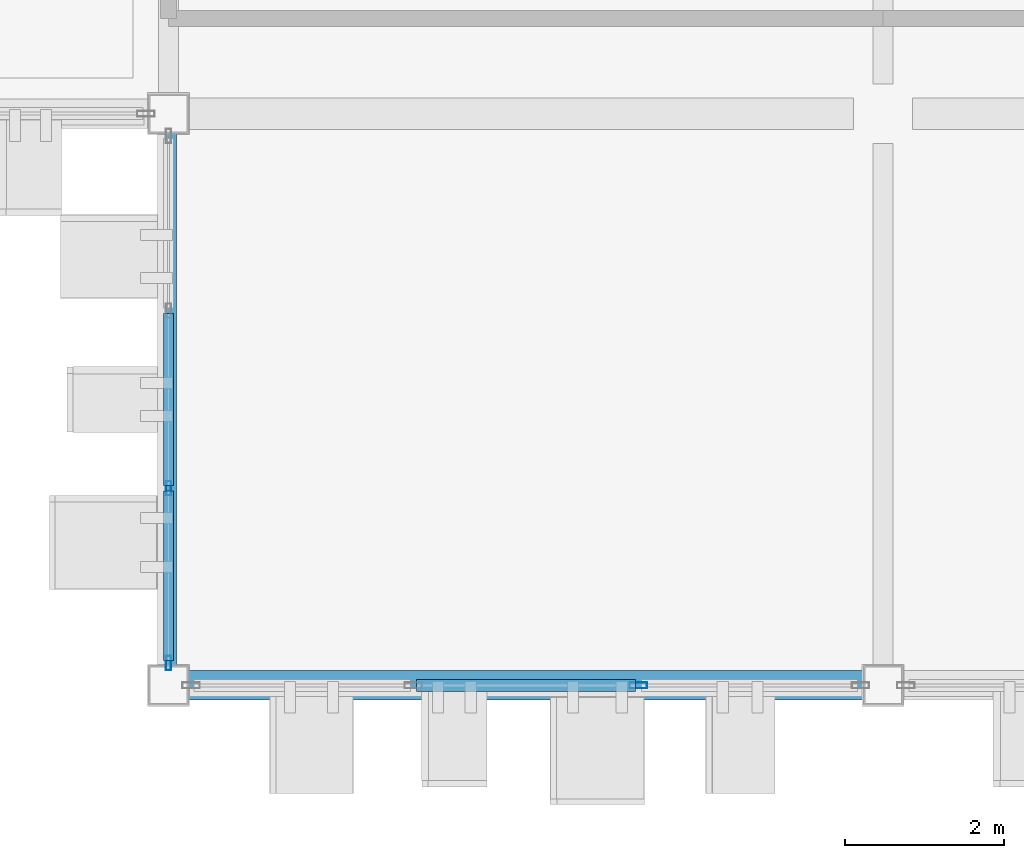
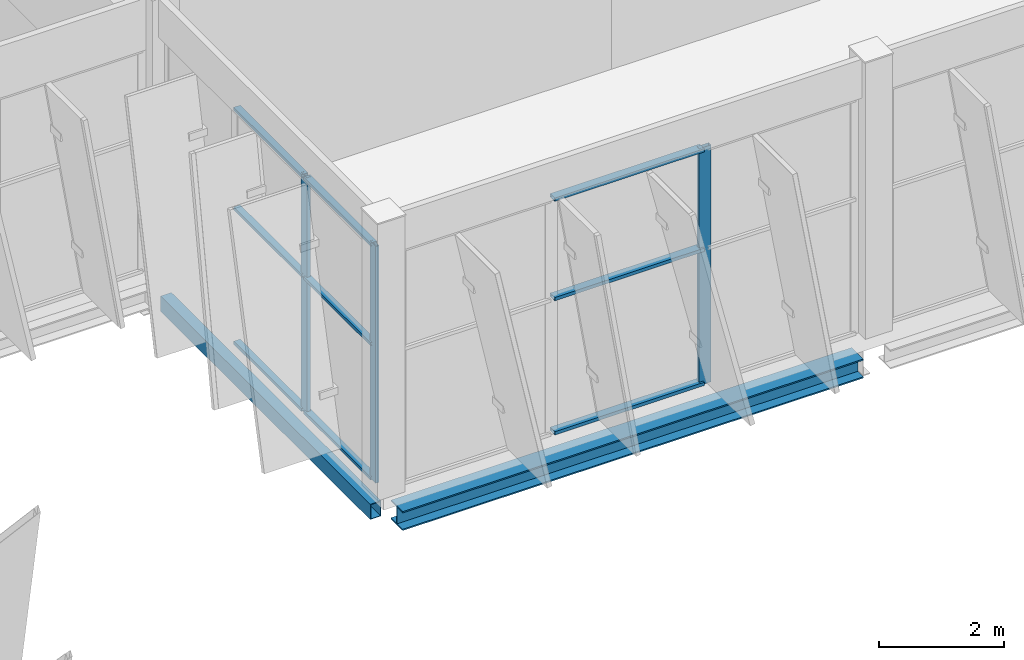
# One storey, part 77 of 189: 12 members, 2 beams, 2 elements without a shape of their own.
"""IFC4 building model written with IfcOpenShell, lengths in metres."""

from ifc_helpers import new_model, si_unit, direction, frame, origin, origin_2d, place, context, subcontext, project, spatial, hollow_rectangle, i_section, extrude, material, layer, layer_set, material_profile, profile_set, type_object, element, aggregate, save


model = new_model("IFC4")

# Units and contexts
model_context = context("Model", 3, precision=1e-05, world=origin(), true_north=direction((0.0, 1.0)))
body_context = subcontext(model_context, "Body", "Model", "MODEL_VIEW")
ifc_project = project(units=[si_unit("LENGTHUNIT", "METRE"), si_unit("AREAUNIT", "SQUARE_METRE"), si_unit("VOLUMEUNIT", "CUBIC_METRE"), si_unit("PLANEANGLEUNIT", "RADIAN"), si_unit("MASSUNIT", "GRAM", prefix="KILO")], contexts=[model_context])

# Site, building, storey
site_placement = place(None, origin())
site = spatial("IfcSite", under=ifc_project, at=site_placement, CompositionType="ELEMENT")
building_placement = place(site_placement, origin())
building = spatial("IfcBuilding", under=site, at=building_placement, Name="Celestram Park Convention Centre", CompositionType="ELEMENT")
storey_placement = place(building_placement, frame((0.0, 0.0, 5.39990234375)))
storey = spatial("IfcBuildingStorey", under=building, at=storey_placement, Name="L01", CompositionType="ELEMENT", Elevation=5.39990234375)

# Curtain wall, members
ifc_material_1 = material(Name="Anodised Aluminium Alloy 6063-T6", Category="aluminium")
ifc_layer_1 = layer(ifc_material_1, 0.179931640625)
ifc_layer_set_1 = layer_set([ifc_layer_1], Name="Anodised Aluminium Alloy 6063-T6")
curtain_wall_type_1 = type_object("IfcCurtainWallType", Name="ARC-CW-670X462", PredefinedType="NOTDEFINED", material=ifc_layer_set_1)
curtain_wall_1_placement = place(storey_placement, origin())
curtain_wall_1 = element("IfcCurtainWall", 1, at=curtain_wall_1_placement, inside=storey, type_object=curtain_wall_type_1, Name="Unitised curtain wall CU-L01-084", PredefinedType="NOTDEFINED")
ifc_material_profile_1 = material_profile(ifc_material_1, hollow_rectangle(XDim=0.06494140625, YDim=0.179931640625, WallThickness=0.00390625, at=origin_2d()), Name="ALU65X180X4")
ifc_profile_set_1 = profile_set([ifc_material_profile_1], Name="Anodised Aluminium Alloy 6063-T6")
member_type_1 = type_object("IfcMemberType", Name="ARC-CWM-150", PredefinedType="MULLION", material=ifc_profile_set_1)
member_1_placement = place(storey_placement, frame((153.0, 115.48046875, 0.0), z_axis=(0.0, 0.0, 1.0), x_axis=(-1.0, 0.0, 0.0)))
member_1 = element("IfcMember", 2, at=member_1_placement, type_object=member_type_1, Name="CW-67X46 mullion 1", PredefinedType="MULLION", context=body_context, shape_type="SweptSolid", body=[
    extrude(hollow_rectangle(XDim=0.06494140625, YDim=0.179931640625, WallThickness=0.00390625, at=origin_2d()), origin(), (0.0, 0.0, 1.0), 4.6240234375),
])
member_2_placement = place(storey_placement, frame((153.0, 117.6826171875, 0.0), z_axis=(0.0, 0.0, 1.0), x_axis=(-1.0, 0.0, 0.0)))
member_2 = element("IfcMember", 3, at=member_2_placement, type_object=member_type_1, Name="CW-67X46 mullion 2", PredefinedType="MULLION", context=body_context, shape_type="SweptSolid", body=[
    extrude(hollow_rectangle(XDim=0.06494140625, YDim=0.179931640625, WallThickness=0.00390625, at=origin_2d()), origin(), (0.0, 0.0, 1.0), 4.6240234375),
])

# Curtain wall, member
ifc_layer_2 = layer(ifc_material_1, 0.179931640625)
ifc_layer_set_2 = layer_set([ifc_layer_2], Name="Anodised Aluminium Alloy 6063-T6")
curtain_wall_type_2 = type_object("IfcCurtainWallType", Name="ARC-CW-850X462", PredefinedType="NOTDEFINED", material=ifc_layer_set_2)
curtain_wall_2_placement = place(storey_placement, origin())
curtain_wall_2 = element("IfcCurtainWall", 4, at=curtain_wall_2_placement, inside=storey, type_object=curtain_wall_type_2, Name="Unitised curtain wall CU-L01-083", PredefinedType="NOTDEFINED")
ifc_material_profile_2 = material_profile(ifc_material_1, hollow_rectangle(XDim=0.074951171875, YDim=0.219970703125, WallThickness=0.00390625, at=origin_2d()), Name="ALU75X220X4")
ifc_profile_set_2 = profile_set([ifc_material_profile_2], Name="Anodised Aluminium Alloy 6063-T6")
member_type_2 = type_object("IfcMemberType", Name="ARC-CWM-180", PredefinedType="MULLION", material=ifc_profile_set_2)
member_3_placement = place(storey_placement, frame((158.917236328125, 115.199951171875, 0.0), z_axis=(0.0, 0.0, 1.0), x_axis=(0.0, -1.0, 0.0)))
member_3 = element("IfcMember", 5, at=member_3_placement, type_object=member_type_2, Name="CW-85X46 mullion 2", PredefinedType="MULLION", context=body_context, shape_type="SweptSolid", body=[
    extrude(hollow_rectangle(XDim=0.074951171875, YDim=0.219970703125, WallThickness=0.00390625, at=origin_2d()), origin(), (0.0, 0.0, 1.0), 4.6240234375),
])

# Member
ifc_material_profile_3 = material_profile(ifc_material_1, hollow_rectangle(XDim=0.1201171875, YDim=0.06005859375, WallThickness=0.0029296875, at=origin_2d()), Name="ALU120X60X3")
ifc_profile_set_3 = profile_set([ifc_material_profile_3], Name="Anodised Aluminium Alloy 6063-T6")
member_type_3 = type_object("IfcMemberType", Name="ARC-CWT-120", PredefinedType="USERDEFINED", material=ifc_profile_set_3)
member_4_placement = place(storey_placement, frame((153.0, 115.512939453125, 0.030029296875), z_axis=(0.0, 1.0, 0.0), x_axis=(-1.0, 0.0, 0.0)))
member_4 = element("IfcMember", 6, at=member_4_placement, type_object=member_type_3, Name="CW-67X46 transom 1.1", ObjectType="TRANSOM", PredefinedType="USERDEFINED", context=body_context, shape_type="SweptSolid", body=[
    extrude(hollow_rectangle(XDim=0.1201171875, YDim=0.06005859375, WallThickness=0.0029296875, at=origin_2d()), origin(), (0.0, 0.0, 1.0), 2.13720703125),
])

member_5_placement = place(storey_placement, frame((153.0, 115.512939453125, 2.650146484375), z_axis=(0.0, 1.0, 0.0), x_axis=(-1.0, 0.0, 0.0)))
member_5 = element("IfcMember", 7, at=member_5_placement, type_object=member_type_3, Name="CW-67X46 transom 1.2", ObjectType="TRANSOM", PredefinedType="USERDEFINED", context=body_context, shape_type="SweptSolid", body=[
    extrude(hollow_rectangle(XDim=0.1201171875, YDim=0.06005859375, WallThickness=0.0029296875, at=origin_2d()), origin(), (0.0, 0.0, 1.0), 2.13720703125),
])

member_6_placement = place(storey_placement, frame((153.0, 115.512939453125, 4.593994140625), z_axis=(0.0, 1.0, 0.0), x_axis=(-1.0, 0.0, 0.0)))
member_6 = element("IfcMember", 8, at=member_6_placement, type_object=member_type_3, Name="CW-67X46 transom 1.3", ObjectType="TRANSOM", PredefinedType="USERDEFINED", context=body_context, shape_type="SweptSolid", body=[
    extrude(hollow_rectangle(XDim=0.1201171875, YDim=0.06005859375, WallThickness=0.0029296875, at=origin_2d()), origin(), (0.0, 0.0, 1.0), 2.13720703125),
])

member_7_placement = place(storey_placement, frame((153.0, 117.715087890625, 0.030029296875), z_axis=(0.0, 1.0, 0.0), x_axis=(-1.0, 0.0, 0.0)))
member_7 = element("IfcMember", 9, at=member_7_placement, type_object=member_type_3, Name="CW-67X46 transom 2.1", ObjectType="TRANSOM", PredefinedType="USERDEFINED", context=body_context, shape_type="SweptSolid", body=[
    extrude(hollow_rectangle(XDim=0.1201171875, YDim=0.06005859375, WallThickness=0.0029296875, at=origin_2d()), origin(), (0.0, 0.0, 1.0), 2.169677734375),
])

member_8_placement = place(storey_placement, frame((153.0, 117.715087890625, 2.650146484375), z_axis=(0.0, 1.0, 0.0), x_axis=(-1.0, 0.0, 0.0)))
member_8 = element("IfcMember", 10, at=member_8_placement, type_object=member_type_3, Name="CW-67X46 transom 2.2", ObjectType="TRANSOM", PredefinedType="USERDEFINED", context=body_context, shape_type="SweptSolid", body=[
    extrude(hollow_rectangle(XDim=0.1201171875, YDim=0.06005859375, WallThickness=0.0029296875, at=origin_2d()), origin(), (0.0, 0.0, 1.0), 2.169677734375),
])

member_9_placement = place(storey_placement, frame((153.0, 117.715087890625, 4.593994140625), z_axis=(0.0, 1.0, 0.0), x_axis=(-1.0, 0.0, 0.0)))
member_9 = element("IfcMember", 11, at=member_9_placement, type_object=member_type_3, Name="CW-67X46 transom 2.3", ObjectType="TRANSOM", PredefinedType="USERDEFINED", context=body_context, shape_type="SweptSolid", body=[
    extrude(hollow_rectangle(XDim=0.1201171875, YDim=0.06005859375, WallThickness=0.0029296875, at=origin_2d()), origin(), (0.0, 0.0, 1.0), 2.169677734375),
])

aggregate(curtain_wall_1, [member_1, member_2, member_4, member_5, member_6, member_7, member_8, member_9])

ifc_material_profile_4 = material_profile(ifc_material_1, hollow_rectangle(XDim=0.14990234375, YDim=0.06494140625, WallThickness=0.0029296875, at=origin_2d()), Name="ALU150X65X3")
ifc_profile_set_4 = profile_set([ifc_material_profile_4], Name="Anodised Aluminium Alloy 6063-T6")
member_type_4 = type_object("IfcMemberType", Name="ARC-CWT-150", PredefinedType="USERDEFINED", material=ifc_profile_set_4)
member_10_placement = place(storey_placement, frame((158.8798828125, 115.199951171875, 0.03271484375), z_axis=(-1.0, 0.0, 0.0), x_axis=(0.0, -1.0, 0.0)))
member_10 = element("IfcMember", 12, at=member_10_placement, type_object=member_type_4, Name="CW-85X46 transom 2.1", ObjectType="TRANSOM", PredefinedType="USERDEFINED", context=body_context, shape_type="SweptSolid", body=[
    extrude(hollow_rectangle(XDim=0.14990234375, YDim=0.06494140625, WallThickness=0.0029296875, at=origin_2d()), origin(), (0.0, 0.0, 1.0), 2.759765625),
])

member_11_placement = place(storey_placement, frame((158.8798828125, 115.199951171875, 2.650146484375), z_axis=(-1.0, 0.0, 0.0), x_axis=(0.0, -1.0, 0.0)))
member_11 = element("IfcMember", 13, at=member_11_placement, type_object=member_type_4, Name="CW-85X46 transom 2.2", ObjectType="TRANSOM", PredefinedType="USERDEFINED", context=body_context, shape_type="SweptSolid", body=[
    extrude(hollow_rectangle(XDim=0.14990234375, YDim=0.06494140625, WallThickness=0.0029296875, at=origin_2d()), origin(), (0.0, 0.0, 1.0), 2.759765625),
])

member_12_placement = place(storey_placement, frame((158.8798828125, 115.199951171875, 4.591552734375), z_axis=(-1.0, 0.0, 0.0), x_axis=(0.0, -1.0, 0.0)))
member_12 = element("IfcMember", 14, at=member_12_placement, type_object=member_type_4, Name="CW-85X46 transom 2.3", ObjectType="TRANSOM", PredefinedType="USERDEFINED", context=body_context, shape_type="SweptSolid", body=[
    extrude(hollow_rectangle(XDim=0.14990234375, YDim=0.06494140625, WallThickness=0.0029296875, at=origin_2d()), origin(), (0.0, 0.0, 1.0), 2.759765625),
])

aggregate(curtain_wall_2, [member_3, member_10, member_11, member_12])

# Beams
ifc_material_2 = material(Name="Steel ASTM A500 Grade C", Category="steel")
ifc_material_profile_5 = material_profile(ifc_material_2, hollow_rectangle(XDim=0.199951171875, YDim=0.300048828125, WallThickness=0.011962890625, at=origin_2d()), Name="HSS300X200X12")
ifc_profile_set_5 = profile_set([ifc_material_profile_5], Name="Steel ASTM A500 Grade C")
beam_type_1 = type_object("IfcBeamType", Name="STR-SPN-HSS300X200", PredefinedType="SPANDREL", material=ifc_profile_set_5)
beam_1_placement = place(storey_placement, frame((153.0, 115.447998046875, -0.56982421875), z_axis=(0.0, 1.0, 0.0), x_axis=(-1.0, 0.0, 0.0)))
element("IfcBeam", 15, at=beam_1_placement, inside=storey, type_object=beam_type_1, Name="Primary Y-girder BG-L01-0368", PredefinedType="SPANDREL", context=body_context, shape_type="SweptSolid", body=[
    extrude(hollow_rectangle(XDim=0.199951171875, YDim=0.300048828125, WallThickness=0.011962890625, at=origin_2d()), origin(), (0.0, 0.0, 1.0), 6.7041015625),
])
ifc_material_3 = material(Name="Steel ASTM A992 Grade 50", Category="steel")
ifc_material_profile_6 = material_profile(ifc_material_3, i_section(OverallWidth=0.373046875, OverallDepth=0.373046875, WebThickness=0.016357421875, FlangeThickness=0.026123046875, at=origin_2d()), Name="W14X132")
ifc_profile_set_6 = profile_set([ifc_material_profile_6], Name="Steel ASTM A992 Grade 50")
beam_type_2 = type_object("IfcBeamType", Name="STR-SPN-W14X132", PredefinedType="SPANDREL", material=ifc_profile_set_6)
beam_2_placement = place(storey_placement, frame((153.248046875, 115.199951171875, -0.6064453125), z_axis=(1.0, 0.0, 0.0), x_axis=(0.0, 1.0, 0.0)))
element("IfcBeam", 16, at=beam_2_placement, inside=storey, type_object=beam_type_2, Name="Primary X-girder BG-L01-0367", PredefinedType="SPANDREL", context=body_context, shape_type="SweptSolid", body=[
    extrude(i_section(OverallWidth=0.373046875, OverallDepth=0.373046875, WebThickness=0.016357421875, FlangeThickness=0.026123046875, at=origin_2d()), origin(), (0.0, 0.0, 1.0), 8.50390625),
])

save(model, "model.ifc")
